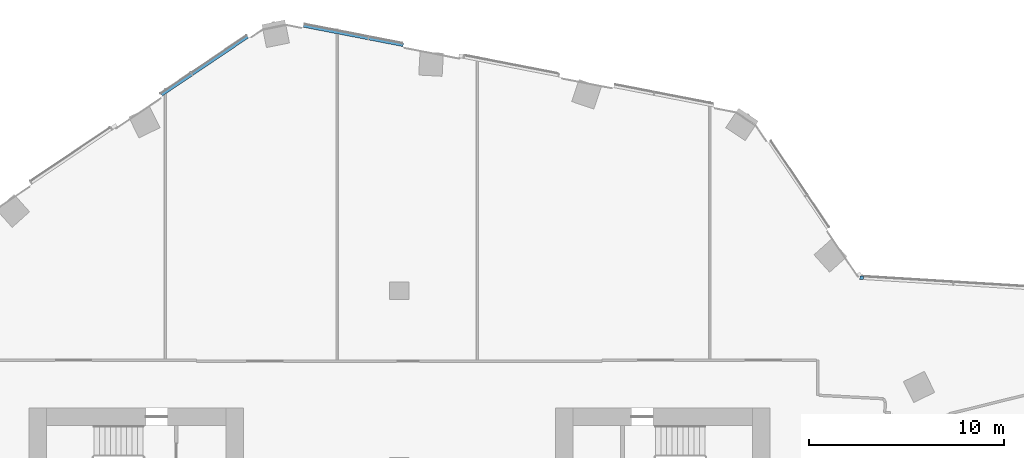
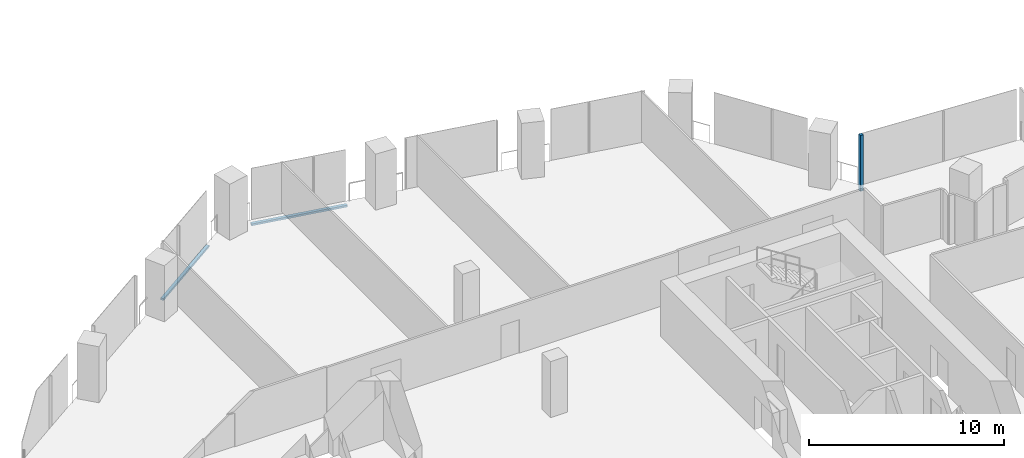
# One storey, part 10 of 34: 3 members, 3 elements without a shape of their own.
"""IFC4 building model written with IfcOpenShell, lengths in metres."""

from ifc_helpers import new_model, si_unit, direction, frame, origin, origin_2d, place, context, subcontext, project, spatial, rectangle, extrude, material, material_profile, profile_set, type_object, element, aggregate, save


model = new_model("IFC4")

# Units and contexts
model_context = context("Model", 3, precision=1e-05, world=origin(), true_north=direction((0.0, 1.0)))
body_context = subcontext(model_context, "Body", "Model", "MODEL_VIEW")
ifc_project = project(units=[si_unit("LENGTHUNIT", "METRE"), si_unit("AREAUNIT", "SQUARE_METRE"), si_unit("VOLUMEUNIT", "CUBIC_METRE"), si_unit("PLANEANGLEUNIT", "RADIAN"), si_unit("MASSUNIT", "GRAM", prefix="KILO")], contexts=[model_context])

# Site, building, storey
site_placement = place(None, origin())
site = spatial("IfcSite", under=ifc_project, at=site_placement, CompositionType="ELEMENT")
building_placement = place(site_placement, origin())
building = spatial("IfcBuilding", under=site, at=building_placement, Name="Orlundy Tower", CompositionType="ELEMENT")
storey_placement = place(building_placement, frame((0.0, 0.0, 145.60009765625)))
storey = spatial("IfcBuildingStorey", under=building, at=storey_placement, Name="L37", CompositionType="ELEMENT", Elevation=145.60009765625)

# Curtain wall, member
ifc_material_1 = material(Name="Aluminium bronze anodised", Category="aluminium")
curtain_wall_type = type_object("IfcCurtainWallType", Name="CW1 wall", PredefinedType="NOTDEFINED", material=ifc_material_1)
curtain_wall_1_placement = place(storey_placement, origin())
curtain_wall_1 = element("IfcCurtainWall", 1, at=curtain_wall_1_placement, inside=storey, type_object=curtain_wall_type, Name="CW1 run 018", PredefinedType="NOTDEFINED")
ifc_material_2 = material(Name="Aluminium bronze anodised", Category="aluminium")
ifc_material_profile_1 = material_profile(ifc_material_2, rectangle(XDim=0.179931640625, YDim=0.179931640625, at=origin_2d()), Name="CW1 corner post 180x180")
ifc_profile_set_1 = profile_set([ifc_material_profile_1], Name="Aluminium bronze anodised")
member_type_1 = type_object("IfcMemberType", Name="CW1 corner post 180x180", PredefinedType="MULLION", material=ifc_profile_set_1)
member_1_placement = place(storey_placement, frame((23.69677734375, 18.67822265625, -0.400146484375), z_axis=(0.0, 0.0, 1.0), x_axis=(0.061053768107, 0.998134478615, 0.0)))
member_1 = element("IfcMember", 2, at=member_1_placement, type_object=member_type_1, Name="CW1 mullion 51", PredefinedType="MULLION", context=body_context, shape_type="SweptSolid", body=[
    extrude(rectangle(XDim=0.179931640625, YDim=0.179931640625, at=origin_2d()), origin(), (0.0, 0.0, 1.0), 3.5),
])
aggregate(curtain_wall_1, [member_1])

curtain_wall_2_placement = place(storey_placement, origin())
curtain_wall_2 = element("IfcCurtainWall", 3, at=curtain_wall_2_placement, inside=storey, type_object=curtain_wall_type, Name="CW1 run 015", PredefinedType="NOTDEFINED")
ifc_material_3 = material(Name="Aluminium bronze anodised", Category="aluminium")
ifc_material_profile_2 = material_profile(ifc_material_3, rectangle(XDim=0.179931640625, YDim=0.1201171875, at=origin_2d()), Name="CW1 transom 180x120")
ifc_profile_set_2 = profile_set([ifc_material_profile_2], Name="Aluminium bronze anodised")
member_type_2 = type_object("IfcMemberType", Name="CW1 transom 180x120", PredefinedType="USERDEFINED", material=ifc_profile_set_2)
member_2_placement = place(storey_placement, frame((-12.193359375, 28.070556640625, -0.340087890625), z_axis=(0.829029064869, 0.559205516426, 0.0), x_axis=(-0.559205516426, 0.829029064869, 0.0)))
member_2 = element("IfcMember", 4, at=member_2_placement, type_object=member_type_2, Name="CW1 transom", ObjectType="TRANSOM", PredefinedType="USERDEFINED", context=body_context, shape_type="SweptSolid", body=[
    extrude(rectangle(XDim=0.179931640625, YDim=0.1201171875, at=origin_2d()), origin(), (0.0, 0.0, 1.0), 5.317626953125),
])
aggregate(curtain_wall_2, [member_2])

curtain_wall_3_placement = place(storey_placement, origin())
curtain_wall_3 = element("IfcCurtainWall", 5, at=curtain_wall_3_placement, inside=storey, type_object=curtain_wall_type, Name="CW1 run 016", PredefinedType="NOTDEFINED")
member_3_placement = place(storey_placement, frame((-4.903076171875, 31.606201171875, -0.340087890625), z_axis=(0.981633966303, -0.190774097299, 0.0), x_axis=(0.190774097299, 0.981633966303, 0.0)))
member_3 = element("IfcMember", 6, at=member_3_placement, type_object=member_type_2, Name="CW1 transom", ObjectType="TRANSOM", PredefinedType="USERDEFINED", context=body_context, shape_type="SweptSolid", body=[
    extrude(rectangle(XDim=0.179931640625, YDim=0.1201171875, at=origin_2d()), origin(), (0.0, 0.0, 1.0), 5.197021484375),
])
aggregate(curtain_wall_3, [member_3])

save(model, "model.ifc")
